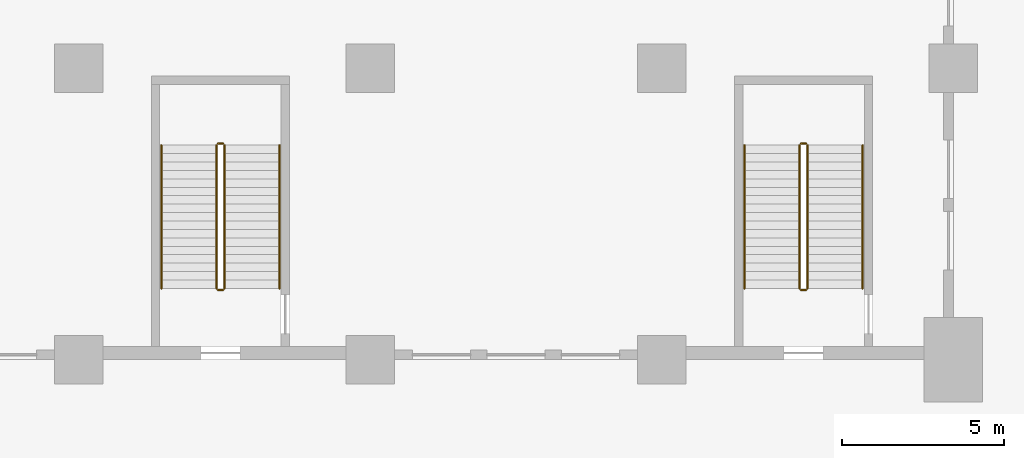
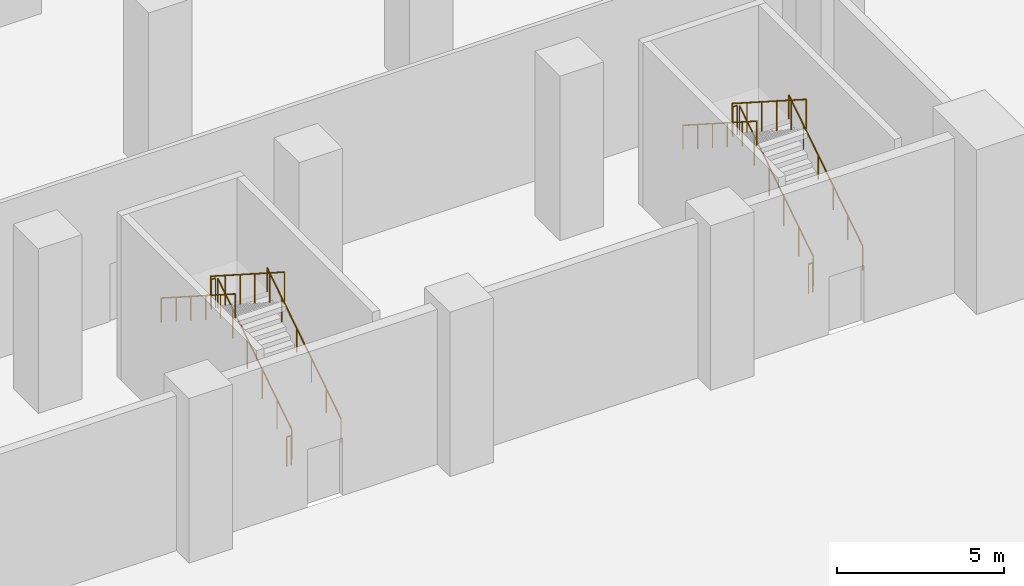
# One storey, part 37 of 47: 12 railings.
"""IFC4 building model written with IfcOpenShell, lengths in metres."""

import ifcopenshell
import ifcopenshell.guid

model = None  # the IFC model being written
_history = None  # IfcOwnerHistory: only IFC2X3 demands one
_inside = {}  # id of a spatial element -> (the spatial element, [elements in it])
_under = {}  # id of a project, library or spatial element -> (it, [spatial elements below it])
_declared = {}  # id of a project -> (the project, [libraries it declares])
_typed = {}  # id of a type object -> (the type object, [elements of that type])
_made_of = {}  # id of a material, layer set ... -> (it, [elements and type objects made of it])


def new_model(schema):
    """Start an empty IFC model of exactly this schema.

    Asked for "IFC4X3", IfcOpenShell would pick the latest addendum, in which some entities
    have other attributes; the version numbers below select the first issue.
    IFC2X3 requires an IfcOwnerHistory on every rooted entity: one is made here for all.
    """
    global model, _history
    if schema == "IFC4X3":
        model = ifcopenshell.file(schema_version=(4, 3, 0, 0))
    else:
        model = ifcopenshell.file(schema=schema)
    _inside.clear()
    _under.clear()
    _declared.clear()
    _typed.clear()
    _made_of.clear()
    _history = None
    if model.schema == "IFC2X3":
        org = make("IfcOrganization", Name="unknown")
        user = make(
            "IfcPersonAndOrganization",
            ThePerson=make("IfcPerson", FamilyName="unknown"),
            TheOrganization=org,
        )
        app = make(
            "IfcApplication",
            ApplicationDeveloper=org,
            Version="unknown",
            ApplicationFullName="unknown",
            ApplicationIdentifier="unknown",
        )
        _history = make(
            "IfcOwnerHistory",
            OwningUser=user,
            OwningApplication=app,
            ChangeAction="ADDED",
            CreationDate=0,
        )
    return model


def make(cls, **values):
    """One entity of the class cls with the attributes given. An attribute that is None is left unset."""
    return model.create_entity(
        cls, **{name: value for name, value in values.items() if value is not None}
    )


def rooted(cls, **values):
    """An entity with a GlobalId (a new one), such as an element, a storey or a relation."""
    return make(cls, GlobalId=ifcopenshell.guid.new(), OwnerHistory=_history, **values)


def si_unit(unit_type, name, prefix=None):
    """IfcSIUnit, for example si_unit("LENGTHUNIT", "METRE", prefix="MILLI")."""
    return make("IfcSIUnit", UnitType=unit_type, Prefix=prefix, Name=name)


def assignment(units):
    """IfcUnitAssignment: the units of a project."""
    return None if units is None else make("IfcUnitAssignment", Units=units)


def point(xyz):
    """IfcCartesianPoint."""
    return None if xyz is None else make("IfcCartesianPoint", Coordinates=xyz)


def direction(xyz):
    """IfcDirection."""
    return None if xyz is None else make("IfcDirection", DirectionRatios=xyz)


def frame(location, z_axis=None, x_axis=None):
    """IfcAxis2Placement3D, a coordinate frame: its origin and axes. An axis left out is left unset."""
    return make(
        "IfcAxis2Placement3D",
        Location=point(location),
        Axis=direction(z_axis),
        RefDirection=direction(x_axis),
    )


def frame_2d(location, x_axis=None):
    """IfcAxis2Placement2D, a coordinate frame in the plane: its origin and x axis."""
    return make(
        "IfcAxis2Placement2D", Location=point(location), RefDirection=direction(x_axis)
    )


def origin():
    """The frame at (0, 0, 0) with its axes left unset."""
    return frame((0.0, 0.0, 0.0))


def origin_2d():
    """The frame at (0, 0) in the plane with its x axis left unset."""
    return frame_2d((0.0, 0.0))


def place(relative_to, where):
    """IfcLocalPlacement: puts the frame where relative to a parent placement (None: the world)."""
    return make(
        "IfcLocalPlacement", PlacementRelTo=relative_to, RelativePlacement=where
    )


def context(
    kind, dimensions, precision=None, world=None, true_north=None, identifier=None
):
    """IfcGeometricRepresentationContext, for example the 3D "Model" context."""
    return make(
        "IfcGeometricRepresentationContext",
        ContextIdentifier=identifier,
        ContextType=kind,
        CoordinateSpaceDimension=dimensions,
        Precision=precision,
        WorldCoordinateSystem=world,
        TrueNorth=true_north,
    )


def subcontext(parent, identifier, kind, view, scale=None):
    """IfcGeometricRepresentationSubContext, for example "Body" below "Model"."""
    return make(
        "IfcGeometricRepresentationSubContext",
        ContextIdentifier=identifier,
        ContextType=kind,
        ParentContext=parent,
        TargetScale=scale,
        TargetView=view,
    )


def project(units=None, contexts=None):
    """IfcProject with its units and contexts."""
    return rooted(
        "IfcProject",
        Name="project",
        RepresentationContexts=contexts,
        UnitsInContext=assignment(units),
    )


def spatial(cls, under=None, at=None, **own):
    """A site, building, storey or space (cls), placed at a placement, below another one or the project."""
    s = rooted(cls, ObjectPlacement=at, **own)
    if under is not None:
        _under.setdefault(under.id(), (under, []))[1].append(s)
    return s


def profile(cls, at=None, kind="AREA", **sizes):
    """A parametric profile (cls). Its sizes go by their IFC names, for example OverallWidth=200.0."""
    return make(cls, ProfileType=kind, Position=at, **sizes)


def circle(**sizes):
    """IfcCircleProfileDef."""
    return profile("IfcCircleProfileDef", **sizes)


def extrude(swept, where, along, depth):
    """IfcExtrudedAreaSolid: the profile swept, set in the frame where, extruded along a direction by depth."""
    return make(
        "IfcExtrudedAreaSolid",
        SweptArea=swept,
        Position=where,
        ExtrudedDirection=direction(along),
        Depth=depth,
    )


def shape(context_of_items, identifier, shape_type, items):
    """IfcShapeRepresentation: the items that make up one representation, for example the "Body"."""
    return make(
        "IfcShapeRepresentation",
        ContextOfItems=context_of_items,
        RepresentationIdentifier=identifier,
        RepresentationType=shape_type,
        Items=items,
    )


def material(Name=None, Category=None):
    """IfcMaterial."""
    return make("IfcMaterial", Name=Name, Category=Category)


def made_of(thing, what):
    """Note that an element or type object is made of a material, layer set ...; save() writes the relation."""
    if what is not None:
        _made_of.setdefault(what.id(), (what, []))[1].append(thing)
    return thing


def type_object(cls, material=None, **own):
    """A type object (cls), such as IfcWallType, which elements share."""
    return made_of(rooted(cls, **own), material)


def element(
    cls,
    number,
    at=None,
    inside=None,
    cuts=None,
    type_object=None,
    material=None,
    context=None,
    identifier="Body",
    shape_type=None,
    held_by="IfcProductDefinitionShape",
    body=None,
    shapes=None,
    **own,
):
    """One element of the class cls, such as IfcWall. Its Tag is "e" and its number.

    at: its placement. inside: the storey or other place that contains it. cuts: it is an
    opening in that element (IfcRelVoidsElement). A single representation is given by context,
    identifier, shape_type and body (its items); several are given by shapes. held_by: the class
    of the entity that holds the representations. save() writes the other relations.
    """
    e = rooted(cls, Tag="e%d" % number, ObjectPlacement=at, **own)
    if body is not None:
        shapes = [shape(context, identifier, shape_type, body)]
    if shapes is not None:
        e.Representation = make(held_by, Representations=shapes)
    if inside is not None:
        _inside.setdefault(inside.id(), (inside, []))[1].append(e)
    if cuts is not None:
        rooted(
            "IfcRelVoidsElement", RelatingBuildingElement=cuts, RelatedOpeningElement=e
        )
    if type_object is not None:
        _typed.setdefault(type_object.id(), (type_object, []))[1].append(e)
    return made_of(e, material)


def aggregate(whole, parts):
    """IfcRelAggregates: a whole, such as a stair, and the parts it consists of."""
    return rooted("IfcRelAggregates", RelatingObject=whole, RelatedObjects=parts)


def save(model, path):
    """Write the relations noted so far, then the file.

    IfcRelAggregates (storeys below a building ...), IfcRelContainedInSpatialStructure (elements
    in a storey), IfcRelDefinesByType, IfcRelAssociatesMaterial and IfcRelDeclares: one each for
    every whole, place, type object, material and project.
    """
    for whole, parts in _under.values():
        aggregate(whole, parts)
    for where, things in _inside.values():
        rooted(
            "IfcRelContainedInSpatialStructure",
            RelatedElements=things,
            RelatingStructure=where,
        )
    for kind, things in _typed.values():
        rooted("IfcRelDefinesByType", RelatedObjects=things, RelatingType=kind)
    for what, things in _made_of.values():
        rooted("IfcRelAssociatesMaterial", RelatedObjects=things, RelatingMaterial=what)
    for by, libraries in _declared.values():
        rooted("IfcRelDeclares", RelatingContext=by, RelatedDefinitions=libraries)
    model.write(path)


model = new_model("IFC4")

# Units and contexts
model_context = context("Model", 3, precision=1e-05, world=origin(), true_north=direction((0.0, 1.0)))
body_context = subcontext(model_context, "Body", "Model", "MODEL_VIEW")
ifc_project = project(units=[si_unit("LENGTHUNIT", "METRE"), si_unit("AREAUNIT", "SQUARE_METRE"), si_unit("VOLUMEUNIT", "CUBIC_METRE"), si_unit("PLANEANGLEUNIT", "RADIAN"), si_unit("MASSUNIT", "GRAM", prefix="KILO")], contexts=[model_context])

# Site, building, storey
site_placement = place(None, origin())
site = spatial("IfcSite", under=ifc_project, at=site_placement, CompositionType="ELEMENT")
building_placement = place(site_placement, origin())
building = spatial("IfcBuilding", under=site, at=building_placement, Name="Hunhe Ridgeline Campus", CompositionType="ELEMENT")
storey_placement = place(building_placement, origin())
storey = spatial("IfcBuildingStorey", under=building, at=storey_placement, Name="L00", CompositionType="ELEMENT", Elevation=0.0)

# Railings
ifc_material = material(Name="Steel Q235", Category="steel")
railing_type_1 = type_object("IfcRailingType", Name="Podium stair guard 1100", PredefinedType="GUARDRAIL", material=ifc_material)
railing_1_placement = place(storey_placement, frame((67.5, 20.199951171875, 0.166748046875)))
element("IfcRailing", 1, at=railing_1_placement, inside=storey, type_object=railing_type_1, Name="L00 PS2 stair guard 1", PredefinedType="GUARDRAIL", context=body_context, shape_type="SweptSolid", body=[
    extrude(circle(Radius=0.02392578125, at=origin_2d()), frame((0.0, 0.0, 1.076171875), z_axis=(0.0, 0.841895389996, 0.53964076227), x_axis=(-1.0, 0.0, 0.0)), (0.0, 0.0, 1.0), 5.250244140625),
    extrude(circle(Radius=0.02099609375, at=origin_2d()), origin(), (0.0, 0.0, 1.0), 1.052001953125),
    extrude(circle(Radius=0.02099609375, at=origin_2d()), frame((0.0, 0.884033203125, 0.566650390625)), (0.0, 0.0, 1.0), 1.052001953125),
    extrude(circle(Radius=0.02099609375, at=origin_2d()), frame((0.0, 1.76806640625, 1.13330078125)), (0.0, 0.0, 1.0), 1.052001953125),
    extrude(circle(Radius=0.02099609375, at=origin_2d()), frame((0.0, 2.652099609375, 1.699951171875)), (0.0, 0.0, 1.0), 1.052001953125),
    extrude(circle(Radius=0.02099609375, at=origin_2d()), frame((0.0, 3.5361328125, 2.2666015625)), (0.0, 0.0, 1.0), 1.052001953125),
    extrude(circle(Radius=0.02099609375, at=origin_2d()), frame((0.0, 4.420166015625, 2.833251953125)), (0.0, 0.0, 1.0), 1.052001953125),
])
railing_2_placement = place(storey_placement, frame((67.449951171875, 24.669921875, 3.0)))
element("IfcRailing", 2, at=railing_2_placement, inside=storey, type_object=railing_type_1, Name="L00 PS2 stair guard 2", PredefinedType="GUARDRAIL", context=body_context, shape_type="SweptSolid", body=[
    extrude(circle(Radius=0.02392578125, at=origin_2d()), frame((0.0, 0.0, 1.076171875), z_axis=(-1.0, 0.0, 0.0), x_axis=(0.0, -1.0, 0.0)), (0.0, 0.0, 1.0), 0.14990234375),
    extrude(circle(Radius=0.02099609375, at=origin_2d()), origin(), (0.0, 0.0, 1.0), 1.052001953125),
    extrude(circle(Radius=0.02099609375, at=origin_2d()), frame((-0.14990234375, 0.0, 0.0)), (0.0, 0.0, 1.0), 1.052001953125),
])
railing_3_placement = place(storey_placement, frame((67.25, 24.6201171875, 3.166748046875)))
element("IfcRailing", 3, at=railing_3_placement, inside=storey, type_object=railing_type_1, Name="L00 PS2 stair guard 3", PredefinedType="GUARDRAIL", context=body_context, shape_type="SweptSolid", body=[
    extrude(circle(Radius=0.02392578125, at=origin_2d()), frame((0.0, 0.0, 1.076171875), z_axis=(0.0, -0.841895389996, 0.53964076227), x_axis=(1.0, 0.0, 0.0)), (0.0, 0.0, 1.0), 5.250244140625),
    extrude(circle(Radius=0.02099609375, at=origin_2d()), origin(), (0.0, 0.0, 1.0), 1.052001953125),
    extrude(circle(Radius=0.02099609375, at=origin_2d()), frame((0.0, -0.884033203125, 0.566650390625)), (0.0, 0.0, 1.0), 1.052001953125),
    extrude(circle(Radius=0.02099609375, at=origin_2d()), frame((0.0, -1.76806640625, 1.13330078125)), (0.0, 0.0, 1.0), 1.052001953125),
    extrude(circle(Radius=0.02099609375, at=origin_2d()), frame((0.0, -2.652099609375, 1.699951171875)), (0.0, 0.0, 1.0), 1.052001953125),
    extrude(circle(Radius=0.02099609375, at=origin_2d()), frame((0.0, -3.5361328125, 2.2666015625)), (0.0, 0.0, 1.0), 1.052001953125),
    extrude(circle(Radius=0.02099609375, at=origin_2d()), frame((0.0, -4.420166015625, 2.833251953125)), (0.0, 0.0, 1.0), 1.052001953125),
])
railing_4_placement = place(storey_placement, frame((67.449951171875, 20.14990234375, 0.0)))
element("IfcRailing", 4, at=railing_4_placement, inside=storey, type_object=railing_type_1, Name="L00 PS2 stair guard 4", PredefinedType="GUARDRAIL", context=body_context, shape_type="SweptSolid", body=[
    extrude(circle(Radius=0.02392578125, at=origin_2d()), frame((0.0, 0.0, 1.076171875), z_axis=(-1.0, 0.0, 0.0), x_axis=(0.0, -1.0, 0.0)), (0.0, 0.0, 1.0), 0.14990234375),
    extrude(circle(Radius=0.02099609375, at=origin_2d()), origin(), (0.0, 0.0, 1.0), 1.052001953125),
    extrude(circle(Radius=0.02099609375, at=origin_2d()), frame((-0.14990234375, 0.0, 0.0)), (0.0, 0.0, 1.0), 1.052001953125),
])
railing_5_placement = place(storey_placement, frame((85.5, 20.199951171875, 0.166748046875)))
element("IfcRailing", 5, at=railing_5_placement, inside=storey, type_object=railing_type_1, Name="L00 PS3 stair guard 1", PredefinedType="GUARDRAIL", context=body_context, shape_type="SweptSolid", body=[
    extrude(circle(Radius=0.02392578125, at=origin_2d()), frame((0.0, 0.0, 1.076171875), z_axis=(0.0, 0.841895389996, 0.53964076227), x_axis=(-1.0, 0.0, 0.0)), (0.0, 0.0, 1.0), 5.250244140625),
    extrude(circle(Radius=0.02099609375, at=origin_2d()), origin(), (0.0, 0.0, 1.0), 1.052001953125),
    extrude(circle(Radius=0.02099609375, at=origin_2d()), frame((0.0, 0.884033203125, 0.566650390625)), (0.0, 0.0, 1.0), 1.052001953125),
    extrude(circle(Radius=0.02099609375, at=origin_2d()), frame((0.0, 1.76806640625, 1.13330078125)), (0.0, 0.0, 1.0), 1.052001953125),
    extrude(circle(Radius=0.02099609375, at=origin_2d()), frame((0.0, 2.652099609375, 1.699951171875)), (0.0, 0.0, 1.0), 1.052001953125),
    extrude(circle(Radius=0.02099609375, at=origin_2d()), frame((0.0, 3.5361328125, 2.2666015625)), (0.0, 0.0, 1.0), 1.052001953125),
    extrude(circle(Radius=0.02099609375, at=origin_2d()), frame((0.0, 4.420166015625, 2.833251953125)), (0.0, 0.0, 1.0), 1.052001953125),
])
railing_6_placement = place(storey_placement, frame((85.449951171875, 24.669921875, 3.0)))
element("IfcRailing", 6, at=railing_6_placement, inside=storey, type_object=railing_type_1, Name="L00 PS3 stair guard 2", PredefinedType="GUARDRAIL", context=body_context, shape_type="SweptSolid", body=[
    extrude(circle(Radius=0.02392578125, at=origin_2d()), frame((0.0, 0.0, 1.076171875), z_axis=(-1.0, 0.0, 0.0), x_axis=(0.0, -1.0, 0.0)), (0.0, 0.0, 1.0), 0.14990234375),
    extrude(circle(Radius=0.02099609375, at=origin_2d()), origin(), (0.0, 0.0, 1.0), 1.052001953125),
    extrude(circle(Radius=0.02099609375, at=origin_2d()), frame((-0.14990234375, 0.0, 0.0)), (0.0, 0.0, 1.0), 1.052001953125),
])
railing_7_placement = place(storey_placement, frame((85.25, 24.6201171875, 3.166748046875)))
element("IfcRailing", 7, at=railing_7_placement, inside=storey, type_object=railing_type_1, Name="L00 PS3 stair guard 3", PredefinedType="GUARDRAIL", context=body_context, shape_type="SweptSolid", body=[
    extrude(circle(Radius=0.02392578125, at=origin_2d()), frame((0.0, 0.0, 1.076171875), z_axis=(0.0, -0.841895389996, 0.53964076227), x_axis=(1.0, 0.0, 0.0)), (0.0, 0.0, 1.0), 5.250244140625),
    extrude(circle(Radius=0.02099609375, at=origin_2d()), origin(), (0.0, 0.0, 1.0), 1.052001953125),
    extrude(circle(Radius=0.02099609375, at=origin_2d()), frame((0.0, -0.884033203125, 0.566650390625)), (0.0, 0.0, 1.0), 1.052001953125),
    extrude(circle(Radius=0.02099609375, at=origin_2d()), frame((0.0, -1.76806640625, 1.13330078125)), (0.0, 0.0, 1.0), 1.052001953125),
    extrude(circle(Radius=0.02099609375, at=origin_2d()), frame((0.0, -2.652099609375, 1.699951171875)), (0.0, 0.0, 1.0), 1.052001953125),
    extrude(circle(Radius=0.02099609375, at=origin_2d()), frame((0.0, -3.5361328125, 2.2666015625)), (0.0, 0.0, 1.0), 1.052001953125),
    extrude(circle(Radius=0.02099609375, at=origin_2d()), frame((0.0, -4.420166015625, 2.833251953125)), (0.0, 0.0, 1.0), 1.052001953125),
])
railing_8_placement = place(storey_placement, frame((85.449951171875, 20.14990234375, 0.0)))
element("IfcRailing", 8, at=railing_8_placement, inside=storey, type_object=railing_type_1, Name="L00 PS3 stair guard 4", PredefinedType="GUARDRAIL", context=body_context, shape_type="SweptSolid", body=[
    extrude(circle(Radius=0.02392578125, at=origin_2d()), frame((0.0, 0.0, 1.076171875), z_axis=(-1.0, 0.0, 0.0), x_axis=(0.0, -1.0, 0.0)), (0.0, 0.0, 1.0), 0.14990234375),
    extrude(circle(Radius=0.02099609375, at=origin_2d()), origin(), (0.0, 0.0, 1.0), 1.052001953125),
    extrude(circle(Radius=0.02099609375, at=origin_2d()), frame((-0.14990234375, 0.0, 0.0)), (0.0, 0.0, 1.0), 1.052001953125),
])
railing_type_2 = type_object("IfcRailingType", Name="Podium stair handrail", PredefinedType="HANDRAIL", material=ifc_material)
railing_9_placement = place(storey_placement, frame((69.199951171875, 20.199951171875, 0.166748046875)))
element("IfcRailing", 9, at=railing_9_placement, inside=storey, type_object=railing_type_2, Name="L00 PS2 stair handrail 1", PredefinedType="HANDRAIL", context=body_context, shape_type="SweptSolid", body=[
    extrude(circle(Radius=0.02392578125, at=origin_2d()), frame((0.0, 0.0, 0.8759765625), z_axis=(0.0, 0.841895389996, 0.53964076227), x_axis=(-1.0, 0.0, 0.0)), (0.0, 0.0, 1.0), 5.250244140625),
    extrude(circle(Radius=0.02099609375, at=origin_2d()), origin(), (0.0, 0.0, 1.0), 0.851806640625),
    extrude(circle(Radius=0.02099609375, at=origin_2d()), frame((0.0, 0.884033203125, 0.566650390625)), (0.0, 0.0, 1.0), 0.851806640625),
    extrude(circle(Radius=0.02099609375, at=origin_2d()), frame((0.0, 1.76806640625, 1.13330078125)), (0.0, 0.0, 1.0), 0.851806640625),
    extrude(circle(Radius=0.02099609375, at=origin_2d()), frame((0.0, 2.652099609375, 1.699951171875)), (0.0, 0.0, 1.0), 0.851806640625),
    extrude(circle(Radius=0.02099609375, at=origin_2d()), frame((0.0, 3.5361328125, 2.2666015625)), (0.0, 0.0, 1.0), 0.851806640625),
    extrude(circle(Radius=0.02099609375, at=origin_2d()), frame((0.0, 4.420166015625, 2.833251953125)), (0.0, 0.0, 1.0), 0.851806640625),
])
railing_10_placement = place(storey_placement, frame((65.550048828125, 24.6201171875, 3.166748046875)))
element("IfcRailing", 10, at=railing_10_placement, inside=storey, type_object=railing_type_2, Name="L00 PS2 stair handrail 2", PredefinedType="HANDRAIL", context=body_context, shape_type="SweptSolid", body=[
    extrude(circle(Radius=0.02392578125, at=origin_2d()), frame((0.0, 0.0, 0.8759765625), z_axis=(0.0, -0.841895389996, 0.53964076227), x_axis=(1.0, 0.0, 0.0)), (0.0, 0.0, 1.0), 5.250244140625),
    extrude(circle(Radius=0.02099609375, at=origin_2d()), origin(), (0.0, 0.0, 1.0), 0.851806640625),
    extrude(circle(Radius=0.02099609375, at=origin_2d()), frame((0.0, -0.884033203125, 0.566650390625)), (0.0, 0.0, 1.0), 0.851806640625),
    extrude(circle(Radius=0.02099609375, at=origin_2d()), frame((0.0, -1.76806640625, 1.13330078125)), (0.0, 0.0, 1.0), 0.851806640625),
    extrude(circle(Radius=0.02099609375, at=origin_2d()), frame((0.0, -2.652099609375, 1.699951171875)), (0.0, 0.0, 1.0), 0.851806640625),
    extrude(circle(Radius=0.02099609375, at=origin_2d()), frame((0.0, -3.5361328125, 2.2666015625)), (0.0, 0.0, 1.0), 0.851806640625),
    extrude(circle(Radius=0.02099609375, at=origin_2d()), frame((0.0, -4.420166015625, 2.833251953125)), (0.0, 0.0, 1.0), 0.851806640625),
])
railing_11_placement = place(storey_placement, frame((87.199951171875, 20.199951171875, 0.166748046875)))
element("IfcRailing", 11, at=railing_11_placement, inside=storey, type_object=railing_type_2, Name="L00 PS3 stair handrail 1", PredefinedType="HANDRAIL", context=body_context, shape_type="SweptSolid", body=[
    extrude(circle(Radius=0.02392578125, at=origin_2d()), frame((0.0, 0.0, 0.8759765625), z_axis=(0.0, 0.841895389996, 0.53964076227), x_axis=(-1.0, 0.0, 0.0)), (0.0, 0.0, 1.0), 5.250244140625),
    extrude(circle(Radius=0.02099609375, at=origin_2d()), origin(), (0.0, 0.0, 1.0), 0.851806640625),
    extrude(circle(Radius=0.02099609375, at=origin_2d()), frame((0.0, 0.884033203125, 0.566650390625)), (0.0, 0.0, 1.0), 0.851806640625),
    extrude(circle(Radius=0.02099609375, at=origin_2d()), frame((0.0, 1.76806640625, 1.13330078125)), (0.0, 0.0, 1.0), 0.851806640625),
    extrude(circle(Radius=0.02099609375, at=origin_2d()), frame((0.0, 2.652099609375, 1.699951171875)), (0.0, 0.0, 1.0), 0.851806640625),
    extrude(circle(Radius=0.02099609375, at=origin_2d()), frame((0.0, 3.5361328125, 2.2666015625)), (0.0, 0.0, 1.0), 0.851806640625),
    extrude(circle(Radius=0.02099609375, at=origin_2d()), frame((0.0, 4.420166015625, 2.833251953125)), (0.0, 0.0, 1.0), 0.851806640625),
])
railing_12_placement = place(storey_placement, frame((83.550048828125, 24.6201171875, 3.166748046875)))
element("IfcRailing", 12, at=railing_12_placement, inside=storey, type_object=railing_type_2, Name="L00 PS3 stair handrail 2", PredefinedType="HANDRAIL", context=body_context, shape_type="SweptSolid", body=[
    extrude(circle(Radius=0.02392578125, at=origin_2d()), frame((0.0, 0.0, 0.8759765625), z_axis=(0.0, -0.841895389996, 0.53964076227), x_axis=(1.0, 0.0, 0.0)), (0.0, 0.0, 1.0), 5.250244140625),
    extrude(circle(Radius=0.02099609375, at=origin_2d()), origin(), (0.0, 0.0, 1.0), 0.851806640625),
    extrude(circle(Radius=0.02099609375, at=origin_2d()), frame((0.0, -0.884033203125, 0.566650390625)), (0.0, 0.0, 1.0), 0.851806640625),
    extrude(circle(Radius=0.02099609375, at=origin_2d()), frame((0.0, -1.76806640625, 1.13330078125)), (0.0, 0.0, 1.0), 0.851806640625),
    extrude(circle(Radius=0.02099609375, at=origin_2d()), frame((0.0, -2.652099609375, 1.699951171875)), (0.0, 0.0, 1.0), 0.851806640625),
    extrude(circle(Radius=0.02099609375, at=origin_2d()), frame((0.0, -3.5361328125, 2.2666015625)), (0.0, 0.0, 1.0), 0.851806640625),
    extrude(circle(Radius=0.02099609375, at=origin_2d()), frame((0.0, -4.420166015625, 2.833251953125)), (0.0, 0.0, 1.0), 0.851806640625),
])

save(model, "model.ifc")
